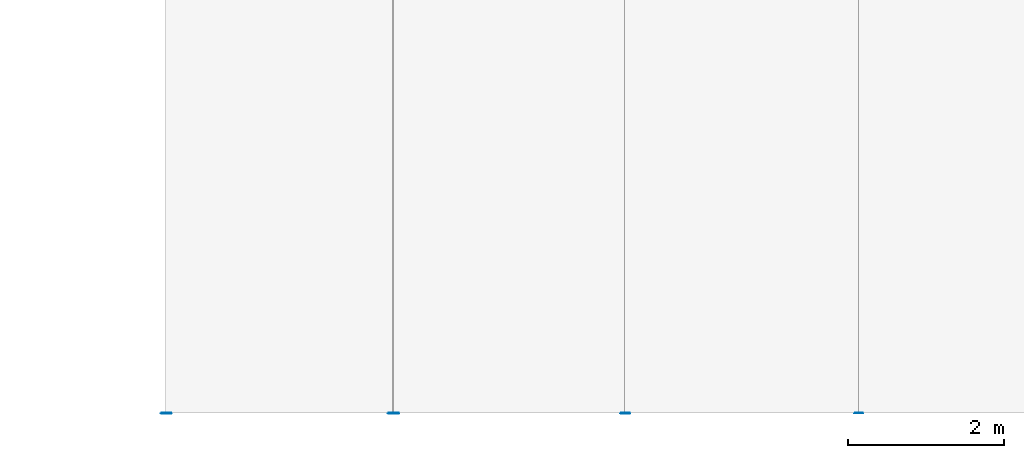
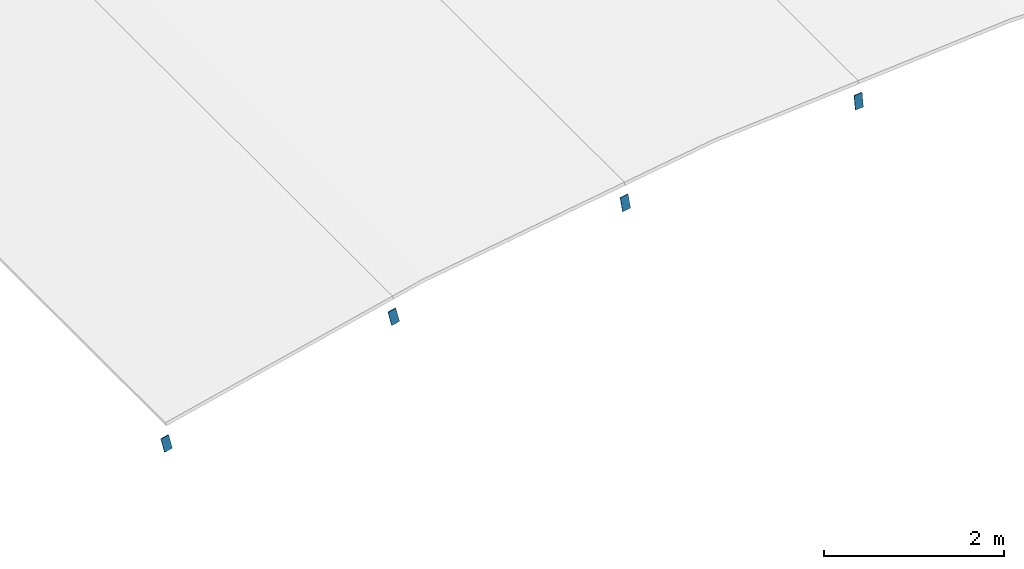
# One storey, part 7 of 13: 4 discrete accessories.
"""IFC4 building model written with IfcOpenShell, lengths in metres."""

from ifc_helpers import new_model, si_unit, direction, frame, origin, origin_2d, place, context, subcontext, project, spatial, rectangle, extrude, material, material_profile, profile_set, type_object, element, save


model = new_model("IFC4")

# Units and contexts
model_context = context("Model", 3, precision=1e-05, world=origin(), true_north=direction((0.0, 1.0)))
body_context = subcontext(model_context, "Body", "Model", "MODEL_VIEW")
ifc_project = project(units=[si_unit("LENGTHUNIT", "METRE"), si_unit("AREAUNIT", "SQUARE_METRE"), si_unit("VOLUMEUNIT", "CUBIC_METRE"), si_unit("PLANEANGLEUNIT", "RADIAN"), si_unit("MASSUNIT", "GRAM", prefix="KILO")], contexts=[model_context])

# Site, building, storey
site_placement = place(None, origin())
site = spatial("IfcSite", under=ifc_project, at=site_placement, CompositionType="ELEMENT")
building_placement = place(site_placement, origin())
building = spatial("IfcBuilding", under=site, at=building_placement, Name="Verrick Yard Athletic Hall", CompositionType="ELEMENT")
storey_placement = place(building_placement, frame((0.0, 0.0, 21.5)))
storey = spatial("IfcBuildingStorey", under=building, at=storey_placement, Name="Upper Roof", CompositionType="ELEMENT", Elevation=21.5)

# Discrete accessories
ifc_material = material(Name="Structural steel 350W (CSA G40.21)", Category="steel")
ifc_material_profile = material_profile(ifc_material, rectangle(XDim=0.1015625, YDim=0.203125, at=origin_2d()), Name="STR End cap plate 203x102x9.5")
ifc_profile_set = profile_set([ifc_material_profile], Name="Structural steel 350W (CSA G40.21)")
discrete_accessory_type = type_object("IfcDiscreteAccessoryType", Name="STR End cap plate 203x102x9.5", PredefinedType="BRACKET", material=ifc_profile_set)
for number, where, z_axis, x_axis, name in (
    (1, (141.747802734375, 71.989990234375, 1.294677734375), (0.0, 1.0, 0.0), (-0.996927304266, 0.0, -0.078332305011), "End cap HB-PU-A-1-8 A"),
    (2, (132.858642578125, 71.989990234375, -0.239990234375), (0.0, 1.0, 0.0), (-0.972458956474, 0.0, -0.23307418985), "End cap HB-PU-A-1-5 A"),
    (3, (138.750244140625, 71.989990234375, 0.964599609375), (0.0, 1.0, 0.0), (-0.987728086354, 0.0, -0.156183313539), "End cap HB-PU-A-1-7 A"),
    (4, (135.776123046875, 71.989990234375, 0.459228515625), (0.0, 1.0, 0.0), (-0.972458956474, 0.0, -0.23307418985), "End cap HB-PU-A-1-6 A"),
):
    element("IfcDiscreteAccessory", number, at=place(storey_placement, frame(where, z_axis=z_axis, x_axis=x_axis)), inside=storey, type_object=discrete_accessory_type, Name=name, PredefinedType="BRACKET", context=body_context, shape_type="SweptSolid", body=[
        extrude(rectangle(XDim=0.1015625, YDim=0.203125, at=origin_2d()), origin(), (0.0, 0.0, 1.0), 0.010009765625),
    ])

save(model, "model.ifc")
